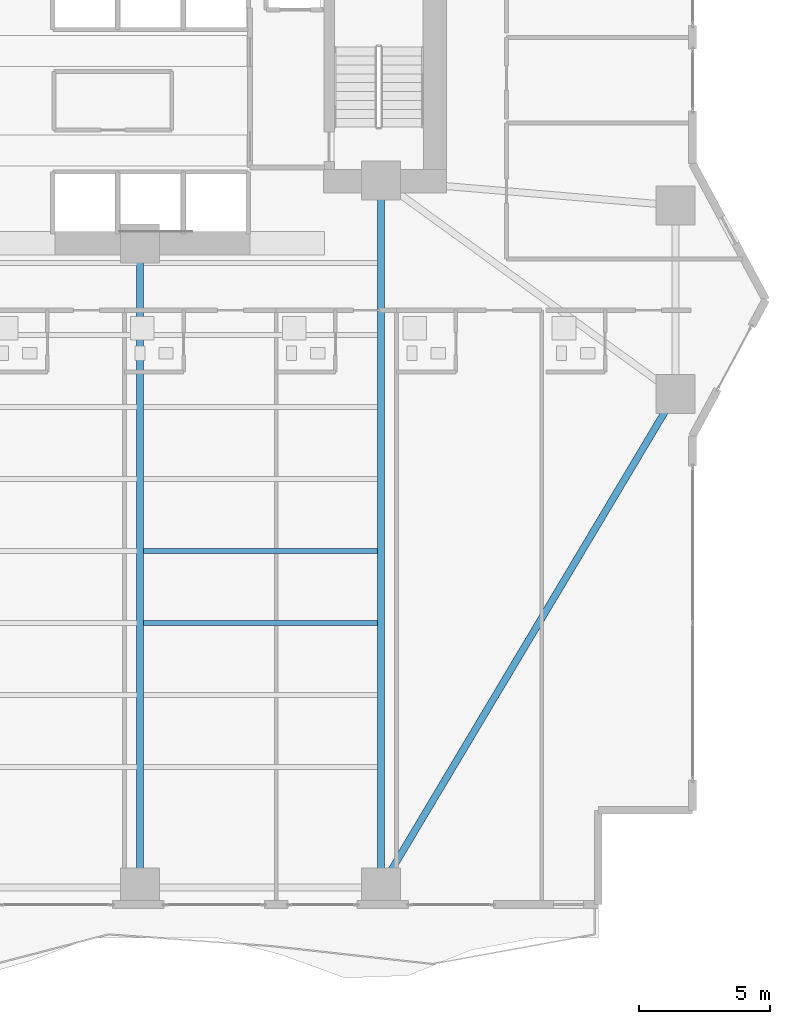
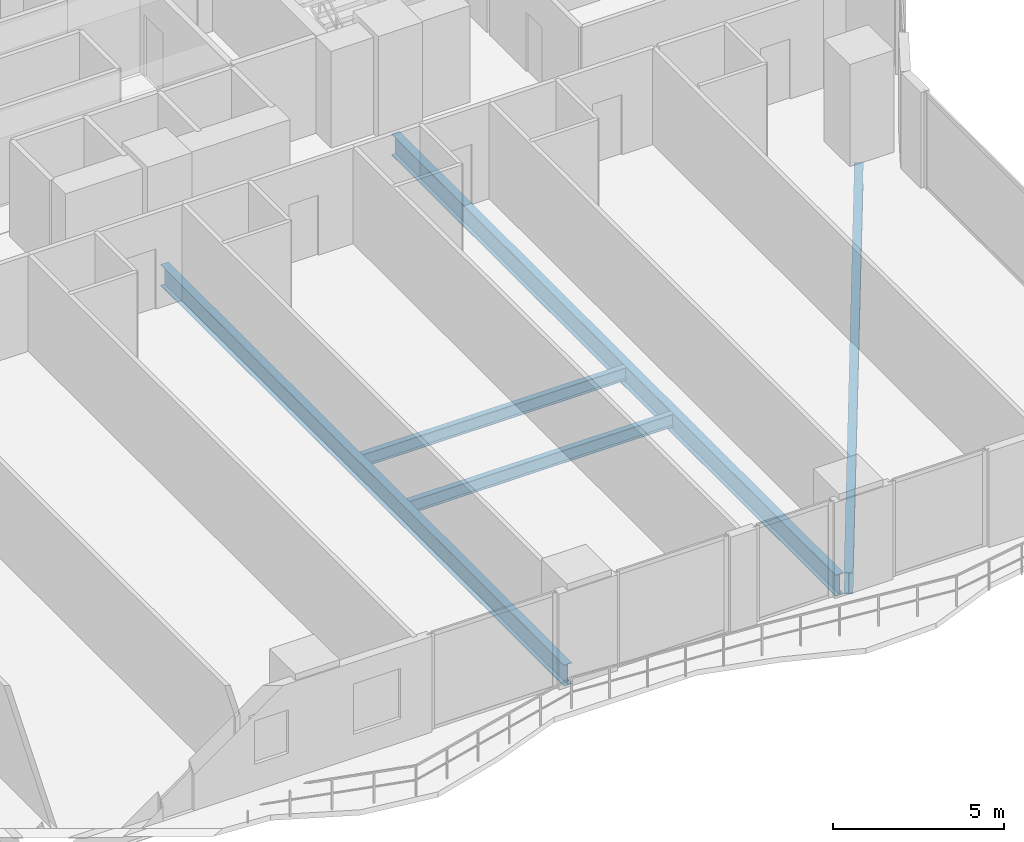
# One storey, part 9 of 28: 5 beams.
"""IFC4 building model written with IfcOpenShell, lengths in metres."""

from ifc_helpers import new_model, si_unit, direction, frame, origin, origin_2d, place, context, subcontext, project, spatial, i_section, extrude, material, material_profile, profile_set, type_object, element, save


model = new_model("IFC4")

# Units and contexts
model_context = context("Model", 3, precision=1e-05, world=origin(), true_north=direction((0.0, 1.0)))
body_context = subcontext(model_context, "Body", "Model", "MODEL_VIEW")
ifc_project = project(units=[si_unit("LENGTHUNIT", "METRE"), si_unit("AREAUNIT", "SQUARE_METRE"), si_unit("VOLUMEUNIT", "CUBIC_METRE"), si_unit("PLANEANGLEUNIT", "RADIAN"), si_unit("MASSUNIT", "GRAM", prefix="KILO")], contexts=[model_context])

# Site, building, storey
site_placement = place(None, origin())
site = spatial("IfcSite", under=ifc_project, at=site_placement, CompositionType="ELEMENT")
building_placement = place(site_placement, origin())
building = spatial("IfcBuilding", under=site, at=building_placement, Name="Zuhayl Quay Hotel", CompositionType="ELEMENT")
storey_placement = place(building_placement, frame((0.0, 0.0, 34.89990234375)))
storey = spatial("IfcBuildingStorey", under=building, at=storey_placement, Name="L07", CompositionType="ELEMENT", Elevation=34.89990234375)

# Beams
ifc_material = material(Name="Steel ASTM A992 Grade 50", Category="steel")
ifc_material_profile_1 = material_profile(ifc_material, i_section(OverallWidth=0.26708984375, OverallDepth=0.761962890625, WebThickness=0.014404296875, FlangeThickness=0.021484375, at=origin_2d()), Name="W30X116")
ifc_profile_set_1 = profile_set([ifc_material_profile_1], Name="Steel ASTM A992 Grade 50")
beam_type_1 = type_object("IfcBeamType", Name="BM_B1_W30X116", PredefinedType="BEAM", material=ifc_profile_set_1)
beam_1_placement = place(storey_placement, frame((14.05615234375, -22.020751953125, -0.600830078125), z_axis=(0.512482593247, 0.85869761361, 0.0), x_axis=(-0.85869761361, 0.512482593247, 0.0)))
element("IfcBeam", 1, at=beam_1_placement, inside=storey, type_object=beam_type_1, Name="L07 Floor Beam RG_L07_04", PredefinedType="BEAM", context=body_context, shape_type="SweptSolid", body=[
    extrude(i_section(OverallWidth=0.26708984375, OverallDepth=0.761962890625, WebThickness=0.014404296875, FlangeThickness=0.021484375, at=origin_2d()), origin(), (0.0, 0.0, 1.0), 20.9521484375),
])
beam_2_placement = place(storey_placement, frame((4.60009765625, -21.949951171875, -0.600830078125), z_axis=(0.0, 1.0, 0.0), x_axis=(-1.0, 0.0, 0.0)))
element("IfcBeam", 2, at=beam_2_placement, inside=storey, type_object=beam_type_1, Name="L07 Floor Beam FG_S_L07_3", PredefinedType="BEAM", context=body_context, shape_type="SweptSolid", body=[
    extrude(i_section(OverallWidth=0.26708984375, OverallDepth=0.761962890625, WebThickness=0.014404296875, FlangeThickness=0.021484375, at=origin_2d()), origin(), (0.0, 0.0, 1.0), 23.64990234375),
])
beam_3_placement = place(storey_placement, frame((13.800048828125, -21.949951171875, -0.600830078125), z_axis=(0.0, 1.0, 0.0), x_axis=(-1.0, 0.0, 0.0)))
element("IfcBeam", 3, at=beam_3_placement, inside=storey, type_object=beam_type_1, Name="L07 Floor Beam FG_S_L07_4", PredefinedType="BEAM", context=body_context, shape_type="SweptSolid", body=[
    extrude(i_section(OverallWidth=0.26708984375, OverallDepth=0.761962890625, WebThickness=0.014404296875, FlangeThickness=0.021484375, at=origin_2d()), origin(), (0.0, 0.0, 1.0), 26.050048828125),
])
ifc_material_profile_2 = material_profile(ifc_material, i_section(OverallWidth=0.18994140625, OverallDepth=0.45703125, WebThickness=0.009033203125, FlangeThickness=0.014404296875, at=origin_2d()), Name="W18X50")
ifc_profile_set_2 = profile_set([ifc_material_profile_2], Name="Steel ASTM A992 Grade 50")
beam_type_2 = type_object("IfcBeamType", Name="BM_J2_W18X50", PredefinedType="JOIST", material=ifc_profile_set_2)
for number, where, z_axis, x_axis, name in (
    (4, (4.7255859375, -12.35009765625, -0.448486328125), (1.0, 0.0, 0.0), (0.0, 1.0, 0.0), "L07 Floor Beam FJ_L07_5_3"),
    (5, (4.7255859375, -9.60009765625, -0.448486328125), (1.0, 0.0, 0.0), (0.0, 1.0, 0.0), "L07 Floor Beam FJ_L07_6_3"),
):
    element("IfcBeam", number, at=place(storey_placement, frame(where, z_axis=z_axis, x_axis=x_axis)), inside=storey, type_object=beam_type_2, Name=name, PredefinedType="JOIST", context=body_context, shape_type="SweptSolid", body=[
        extrude(i_section(OverallWidth=0.18994140625, OverallDepth=0.45703125, WebThickness=0.009033203125, FlangeThickness=0.014404296875, at=origin_2d()), origin(), (0.0, 0.0, 1.0), 8.948974609375),
    ])

save(model, "model.ifc")
